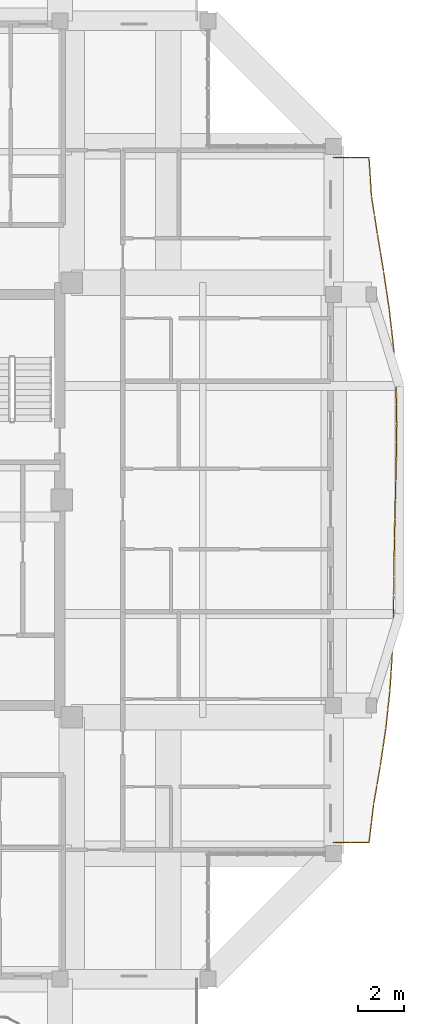
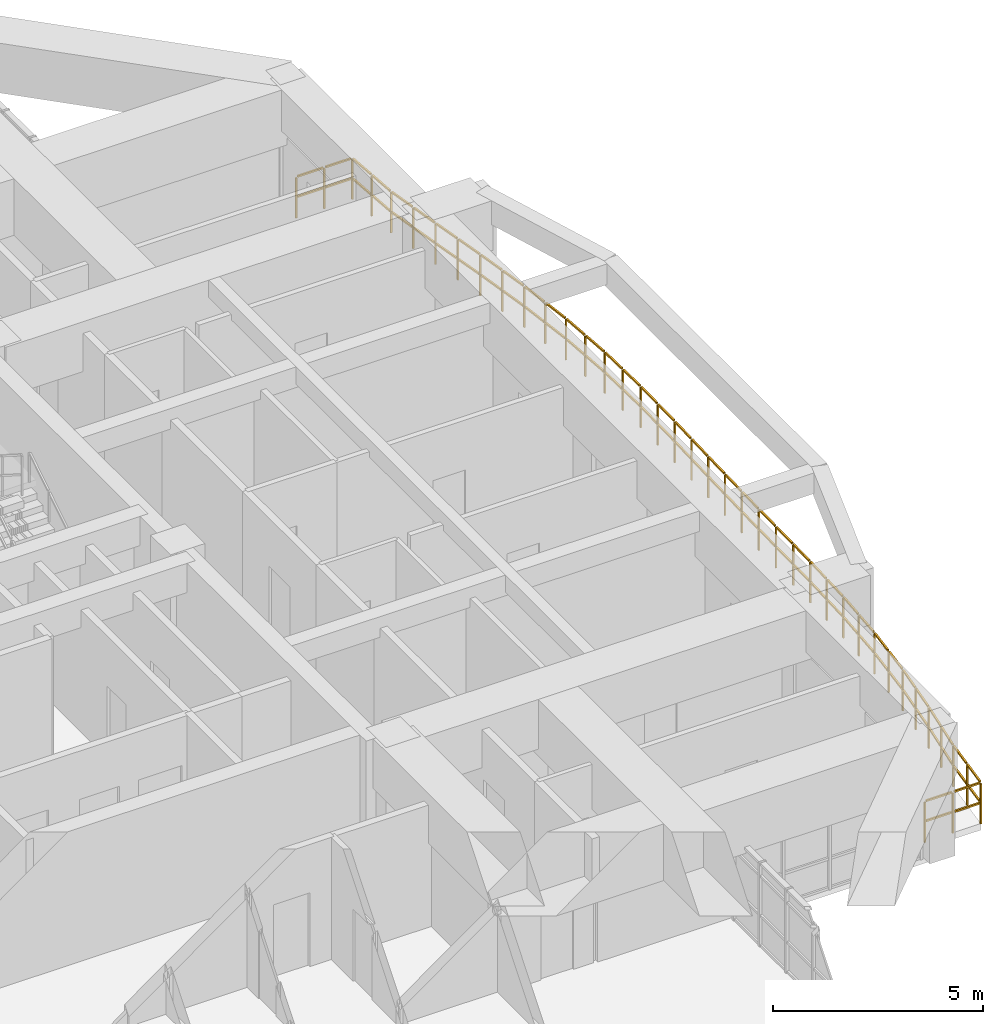
# One storey, part 21 of 22: 1 railing.
"""IFC4 building model written with IfcOpenShell, lengths in metres."""

from ifc_helpers import new_model, si_unit, direction, frame, origin, origin_2d, place, context, subcontext, project, spatial, rectangle, extrude, material, type_object, element, save


model = new_model("IFC4")

# Units and contexts
model_context = context("Model", 3, precision=1e-05, world=origin(), true_north=direction((0.0, 1.0)))
body_context = subcontext(model_context, "Body", "Model", "MODEL_VIEW")
ifc_project = project(units=[si_unit("LENGTHUNIT", "METRE"), si_unit("AREAUNIT", "SQUARE_METRE"), si_unit("VOLUMEUNIT", "CUBIC_METRE"), si_unit("PLANEANGLEUNIT", "RADIAN"), si_unit("MASSUNIT", "GRAM", prefix="KILO")], contexts=[model_context])

# Site, building, storey
site_placement = place(None, origin())
site = spatial("IfcSite", under=ifc_project, at=site_placement, CompositionType="ELEMENT")
building_placement = place(site_placement, origin())
building = spatial("IfcBuilding", under=site, at=building_placement, Name="Saelheon Loggia Tower", CompositionType="ELEMENT")
storey_placement = place(building_placement, frame((0.0, 0.0, 216.300048828125)))
storey = spatial("IfcBuildingStorey", under=building, at=storey_placement, Name="L67", CompositionType="ELEMENT", Elevation=216.300048828125)

# Railing
ifc_material = material(Name="Architectural Precast Concrete and Laminated Glass Guard", Category="concrete")
railing_type = type_object("IfcRailingType", Name="Guard_Loggia_RL_LOG", PredefinedType="BALUSTRADE", material=ifc_material)
railing_placement = place(storey_placement, frame((56.5, 12.0, 0.0)))
element("IfcRailing", 1, at=railing_placement, inside=storey, type_object=railing_type, Name="L67 East Loggia Balustrade", PredefinedType="BALUSTRADE", context=body_context, shape_type="SweptSolid", body=[
    extrude(rectangle(XDim=0.048095703125, YDim=0.048095703125, at=origin_2d()), frame((0.033203125, 0.0, 1.19580078125), z_axis=(1.0, 0.0, 0.0), x_axis=(0.0, 1.0, 0.0)), (0.0, 0.0, 1.0), 0.70849609375),
    extrude(rectangle(XDim=0.048095703125, YDim=0.048095703125, at=origin_2d()), frame((0.033203125, 0.0, 0.60986328125), z_axis=(1.0, 0.0, 0.0), x_axis=(0.0, 1.0, 0.0)), (0.0, 0.0, 1.0), 0.70849609375),
    extrude(rectangle(XDim=0.048095703125, YDim=0.048095703125, at=origin_2d()), frame((0.808349609375, 0.0, 1.19580078125), z_axis=(1.0, 0.0, 0.0), x_axis=(0.0, 1.0, 0.0)), (0.0, 0.0, 1.0), 0.70849609375),
    extrude(rectangle(XDim=0.048095703125, YDim=0.048095703125, at=origin_2d()), frame((0.808349609375, 0.0, 0.60986328125), z_axis=(1.0, 0.0, 0.0), x_axis=(0.0, 1.0, 0.0)), (0.0, 0.0, 1.0), 0.70849609375),
    extrude(rectangle(XDim=0.048095703125, YDim=0.048095703125, at=origin_2d()), frame((1.553955078125, 0.032958984375, 1.19580078125), z_axis=(0.121117273297, 0.992638205042, 0.0), x_axis=(-0.992638205042, 0.121117273297, 0.0)), (0.0, 0.0, 1.0), 0.773193359375),
    extrude(rectangle(XDim=0.048095703125, YDim=0.048095703125, at=origin_2d()), frame((1.553955078125, 0.032958984375, 0.60986328125), z_axis=(0.121117273297, 0.992638205042, 0.0), x_axis=(-0.992638205042, 0.121117273297, 0.0)), (0.0, 0.0, 1.0), 0.773193359375),
    extrude(rectangle(XDim=0.048095703125, YDim=0.048095703125, at=origin_2d()), frame((1.65576171875, 0.866455078125, 1.19580078125), z_axis=(0.121117273297, 0.992638205042, 0.0), x_axis=(-0.992638205042, 0.121117273297, 0.0)), (0.0, 0.0, 1.0), 0.773193359375),
    extrude(rectangle(XDim=0.048095703125, YDim=0.048095703125, at=origin_2d()), frame((1.65576171875, 0.866455078125, 0.60986328125), z_axis=(0.121117273297, 0.992638205042, 0.0), x_axis=(-0.992638205042, 0.121117273297, 0.0)), (0.0, 0.0, 1.0), 0.773193359375),
    extrude(rectangle(XDim=0.048095703125, YDim=0.048095703125, at=origin_2d()), frame((1.759033203125, 1.699462890625, 1.19580078125), z_axis=(0.170061614691, 0.98543343114, 0.0), x_axis=(-0.98543343114, 0.170061614691, 0.0)), (0.0, 0.0, 1.0), 0.779052734375),
    extrude(rectangle(XDim=0.048095703125, YDim=0.048095703125, at=origin_2d()), frame((1.759033203125, 1.699462890625, 0.60986328125), z_axis=(0.170061614691, 0.98543343114, 0.0), x_axis=(-0.98543343114, 0.170061614691, 0.0)), (0.0, 0.0, 1.0), 0.779052734375),
    extrude(rectangle(XDim=0.048095703125, YDim=0.048095703125, at=origin_2d()), frame((1.90283203125, 2.53271484375, 1.19580078125), z_axis=(0.170061614691, 0.98543343114, 0.0), x_axis=(-0.98543343114, 0.170061614691, 0.0)), (0.0, 0.0, 1.0), 0.779052734375),
    extrude(rectangle(XDim=0.048095703125, YDim=0.048095703125, at=origin_2d()), frame((1.90283203125, 2.53271484375, 0.60986328125), z_axis=(0.170061614691, 0.98543343114, 0.0), x_axis=(-0.98543343114, 0.170061614691, 0.0)), (0.0, 0.0, 1.0), 0.779052734375),
    extrude(rectangle(XDim=0.048095703125, YDim=0.048095703125, at=origin_2d()), frame((2.0458984375, 3.3662109375, 1.19580078125), z_axis=(0.146632679604, 0.98919101152, 0.0), x_axis=(-0.98919101152, 0.146632679604, 0.0)), (0.0, 0.0, 1.0), 0.776123046875),
    extrude(rectangle(XDim=0.048095703125, YDim=0.048095703125, at=origin_2d()), frame((2.0458984375, 3.3662109375, 0.60986328125), z_axis=(0.146632679604, 0.98919101152, 0.0), x_axis=(-0.98919101152, 0.146632679604, 0.0)), (0.0, 0.0, 1.0), 0.776123046875),
    extrude(rectangle(XDim=0.048095703125, YDim=0.048095703125, at=origin_2d()), frame((2.16943359375, 4.199462890625, 1.19580078125), z_axis=(0.146632679604, 0.98919101152, 0.0), x_axis=(-0.98919101152, 0.146632679604, 0.0)), (0.0, 0.0, 1.0), 0.776123046875),
    extrude(rectangle(XDim=0.048095703125, YDim=0.048095703125, at=origin_2d()), frame((2.16943359375, 4.199462890625, 0.60986328125), z_axis=(0.146632679604, 0.98919101152, 0.0), x_axis=(-0.98919101152, 0.146632679604, 0.0)), (0.0, 0.0, 1.0), 0.776123046875),
    extrude(rectangle(XDim=0.048095703125, YDim=0.048095703125, at=origin_2d()), frame((2.291748046875, 5.032958984375, 1.19580078125), z_axis=(0.106754244284, 0.994285437552, 0.0), x_axis=(-0.994285437552, 0.106754244284, 0.0)), (0.0, 0.0, 1.0), 0.771728515625),
    extrude(rectangle(XDim=0.048095703125, YDim=0.048095703125, at=origin_2d()), frame((2.291748046875, 5.032958984375, 0.60986328125), z_axis=(0.106754244284, 0.994285437552, 0.0), x_axis=(-0.994285437552, 0.106754244284, 0.0)), (0.0, 0.0, 1.0), 0.771728515625),
    extrude(rectangle(XDim=0.048095703125, YDim=0.048095703125, at=origin_2d()), frame((2.381103515625, 5.866455078125, 1.19580078125), z_axis=(0.106754244284, 0.994285437552, 0.0), x_axis=(-0.994285437552, 0.106754244284, 0.0)), (0.0, 0.0, 1.0), 0.771728515625),
    extrude(rectangle(XDim=0.048095703125, YDim=0.048095703125, at=origin_2d()), frame((2.381103515625, 5.866455078125, 0.60986328125), z_axis=(0.106754244284, 0.994285437552, 0.0), x_axis=(-0.994285437552, 0.106754244284, 0.0)), (0.0, 0.0, 1.0), 0.771728515625),
    extrude(rectangle(XDim=0.048095703125, YDim=0.048095703125, at=origin_2d()), frame((2.46923828125, 6.699951171875, 1.19580078125), z_axis=(0.063161067342, 0.998003346473, 0.0), x_axis=(-0.998003346473, 0.063161067342, 0.0)), (0.0, 0.0, 1.0), 0.7685546875),
    extrude(rectangle(XDim=0.048095703125, YDim=0.048095703125, at=origin_2d()), frame((2.46923828125, 6.699951171875, 0.60986328125), z_axis=(0.063161067342, 0.998003346473, 0.0), x_axis=(-0.998003346473, 0.063161067342, 0.0)), (0.0, 0.0, 1.0), 0.7685546875),
    extrude(rectangle(XDim=0.048095703125, YDim=0.048095703125, at=origin_2d()), frame((2.52197265625, 7.533203125, 1.19580078125), z_axis=(0.063161067342, 0.998003346473, 0.0), x_axis=(-0.998003346473, 0.063161067342, 0.0)), (0.0, 0.0, 1.0), 0.7685546875),
    extrude(rectangle(XDim=0.048095703125, YDim=0.048095703125, at=origin_2d()), frame((2.52197265625, 7.533203125, 0.60986328125), z_axis=(0.063161067342, 0.998003346473, 0.0), x_axis=(-0.998003346473, 0.063161067342, 0.0)), (0.0, 0.0, 1.0), 0.7685546875),
    extrude(rectangle(XDim=0.048095703125, YDim=0.048095703125, at=origin_2d()), frame((2.573486328125, 8.366455078125, 1.19580078125), z_axis=(0.028844006627, 0.999583925082, 0.0), x_axis=(-0.999583925082, 0.028844006627, 0.0)), (0.0, 0.0, 1.0), 0.767333984375),
    extrude(rectangle(XDim=0.048095703125, YDim=0.048095703125, at=origin_2d()), frame((2.573486328125, 8.366455078125, 0.60986328125), z_axis=(0.028844006627, 0.999583925082, 0.0), x_axis=(-0.999583925082, 0.028844006627, 0.0)), (0.0, 0.0, 1.0), 0.767333984375),
    extrude(rectangle(XDim=0.048095703125, YDim=0.048095703125, at=origin_2d()), frame((2.597412109375, 9.199951171875, 1.19580078125), z_axis=(0.028844006627, 0.999583925082, 0.0), x_axis=(-0.999583925082, 0.028844006627, 0.0)), (0.0, 0.0, 1.0), 0.767333984375),
    extrude(rectangle(XDim=0.048095703125, YDim=0.048095703125, at=origin_2d()), frame((2.597412109375, 9.199951171875, 0.60986328125), z_axis=(0.028844006627, 0.999583925082, 0.0), x_axis=(-0.999583925082, 0.028844006627, 0.0)), (0.0, 0.0, 1.0), 0.767333984375),
    extrude(rectangle(XDim=0.048095703125, YDim=0.048095703125, at=origin_2d()), frame((2.62109375, 10.033203125, 1.19580078125), z_axis=(0.012156711099, 0.999926104457, 0.0), x_axis=(-0.999926104457, 0.012156711099, 0.0)), (0.0, 0.0, 1.0), 0.766845703125),
    extrude(rectangle(XDim=0.048095703125, YDim=0.048095703125, at=origin_2d()), frame((2.62109375, 10.033203125, 0.60986328125), z_axis=(0.012156711099, 0.999926104457, 0.0), x_axis=(-0.999926104457, 0.012156711099, 0.0)), (0.0, 0.0, 1.0), 0.766845703125),
    extrude(rectangle(XDim=0.048095703125, YDim=0.048095703125, at=origin_2d()), frame((2.631103515625, 10.86669921875, 1.19580078125), z_axis=(0.012156711099, 0.999926104457, 0.0), x_axis=(-0.999926104457, 0.012156711099, 0.0)), (0.0, 0.0, 1.0), 0.766845703125),
    extrude(rectangle(XDim=0.048095703125, YDim=0.048095703125, at=origin_2d()), frame((2.631103515625, 10.86669921875, 0.60986328125), z_axis=(0.012156711099, 0.999926104457, 0.0), x_axis=(-0.999926104457, 0.012156711099, 0.0)), (0.0, 0.0, 1.0), 0.766845703125),
    extrude(rectangle(XDim=0.048095703125, YDim=0.048095703125, at=origin_2d()), frame((2.641357421875, 11.699951171875, 1.19580078125), z_axis=(0.012744350207, 0.999918787471, 0.0), x_axis=(-0.999918787471, 0.012744350207, 0.0)), (0.0, 0.0, 1.0), 0.766845703125),
    extrude(rectangle(XDim=0.048095703125, YDim=0.048095703125, at=origin_2d()), frame((2.641357421875, 11.699951171875, 0.60986328125), z_axis=(0.012744350207, 0.999918787471, 0.0), x_axis=(-0.999918787471, 0.012744350207, 0.0)), (0.0, 0.0, 1.0), 0.766845703125),
    extrude(rectangle(XDim=0.048095703125, YDim=0.048095703125, at=origin_2d()), frame((2.65185546875, 12.533203125, 1.19580078125), z_axis=(0.012744350207, 0.999918787471, 0.0), x_axis=(-0.999918787471, 0.012744350207, 0.0)), (0.0, 0.0, 1.0), 0.766845703125),
    extrude(rectangle(XDim=0.048095703125, YDim=0.048095703125, at=origin_2d()), frame((2.65185546875, 12.533203125, 0.60986328125), z_axis=(0.012744350207, 0.999918787471, 0.0), x_axis=(-0.999918787471, 0.012744350207, 0.0)), (0.0, 0.0, 1.0), 0.766845703125),
    extrude(rectangle(XDim=0.048095703125, YDim=0.048095703125, at=origin_2d()), frame((2.662841796875, 13.366455078125, 1.19580078125), z_axis=(0.021088029542, 0.999777622779, 0.0), x_axis=(-0.999777622779, 0.021088029542, 0.0)), (0.0, 0.0, 1.0), 0.76708984375),
    extrude(rectangle(XDim=0.048095703125, YDim=0.048095703125, at=origin_2d()), frame((2.662841796875, 13.366455078125, 0.60986328125), z_axis=(0.021088029542, 0.999777622779, 0.0), x_axis=(-0.999777622779, 0.021088029542, 0.0)), (0.0, 0.0, 1.0), 0.76708984375),
    extrude(rectangle(XDim=0.048095703125, YDim=0.048095703125, at=origin_2d()), frame((2.680419921875, 14.199951171875, 1.19580078125), z_axis=(0.021088029542, 0.999777622779, 0.0), x_axis=(-0.999777622779, 0.021088029542, 0.0)), (0.0, 0.0, 1.0), 0.76708984375),
    extrude(rectangle(XDim=0.048095703125, YDim=0.048095703125, at=origin_2d()), frame((2.680419921875, 14.199951171875, 0.60986328125), z_axis=(0.021088029542, 0.999777622779, 0.0), x_axis=(-0.999777622779, 0.021088029542, 0.0)), (0.0, 0.0, 1.0), 0.76708984375),
    extrude(rectangle(XDim=0.048095703125, YDim=0.048095703125, at=origin_2d()), frame((2.697998046875, 15.033203125, 1.19580078125), z_axis=(0.025186090256, 0.999682780115, 0.0), x_axis=(-0.999682780115, 0.025186090256, 0.0)), (0.0, 0.0, 1.0), 0.76708984375),
    extrude(rectangle(XDim=0.048095703125, YDim=0.048095703125, at=origin_2d()), frame((2.697998046875, 15.033203125, 0.60986328125), z_axis=(0.025186090256, 0.999682780115, 0.0), x_axis=(-0.999682780115, 0.025186090256, 0.0)), (0.0, 0.0, 1.0), 0.76708984375),
    extrude(rectangle(XDim=0.048095703125, YDim=0.048095703125, at=origin_2d()), frame((2.718994140625, 15.86669921875, 1.19580078125), z_axis=(0.025186090256, 0.999682780115, 0.0), x_axis=(-0.999682780115, 0.025186090256, 0.0)), (0.0, 0.0, 1.0), 0.76708984375),
    extrude(rectangle(XDim=0.048095703125, YDim=0.048095703125, at=origin_2d()), frame((2.718994140625, 15.86669921875, 0.60986328125), z_axis=(0.025186090256, 0.999682780115, 0.0), x_axis=(-0.999682780115, 0.025186090256, 0.0)), (0.0, 0.0, 1.0), 0.76708984375),
    extrude(rectangle(XDim=0.048095703125, YDim=0.048095703125, at=origin_2d()), frame((2.73974609375, 16.699951171875, 1.19580078125), z_axis=(0.013623113053, 0.99990720109, 0.0), x_axis=(-0.99990720109, 0.013623113053, 0.0)), (0.0, 0.0, 1.0), 0.766845703125),
    extrude(rectangle(XDim=0.048095703125, YDim=0.048095703125, at=origin_2d()), frame((2.73974609375, 16.699951171875, 0.60986328125), z_axis=(0.013623113053, 0.99990720109, 0.0), x_axis=(-0.99990720109, 0.013623113053, 0.0)), (0.0, 0.0, 1.0), 0.766845703125),
    extrude(rectangle(XDim=0.048095703125, YDim=0.048095703125, at=origin_2d()), frame((2.7509765625, 17.533203125, 1.19580078125), z_axis=(0.013623113053, 0.99990720109, 0.0), x_axis=(-0.99990720109, 0.013623113053, 0.0)), (0.0, 0.0, 1.0), 0.766845703125),
    extrude(rectangle(XDim=0.048095703125, YDim=0.048095703125, at=origin_2d()), frame((2.7509765625, 17.533203125, 0.60986328125), z_axis=(0.013623113053, 0.99990720109, 0.0), x_axis=(-0.99990720109, 0.013623113053, 0.0)), (0.0, 0.0, 1.0), 0.766845703125),
    extrude(rectangle(XDim=0.048095703125, YDim=0.048095703125, at=origin_2d()), frame((2.761474609375, 18.366455078125, 1.19580078125), z_axis=(-0.017574552025, 0.999845555634, 0.0), x_axis=(-0.999845555634, -0.017574552025, 0.0)), (0.0, 0.0, 1.0), 0.76708984375),
    extrude(rectangle(XDim=0.048095703125, YDim=0.048095703125, at=origin_2d()), frame((2.761474609375, 18.366455078125, 0.60986328125), z_axis=(-0.017574552025, 0.999845555634, 0.0), x_axis=(-0.999845555634, -0.017574552025, 0.0)), (0.0, 0.0, 1.0), 0.76708984375),
    extrude(rectangle(XDim=0.048095703125, YDim=0.048095703125, at=origin_2d()), frame((2.746826171875, 19.199951171875, 1.19580078125), z_axis=(-0.017574552025, 0.999845555634, 0.0), x_axis=(-0.999845555634, -0.017574552025, 0.0)), (0.0, 0.0, 1.0), 0.76708984375),
    extrude(rectangle(XDim=0.048095703125, YDim=0.048095703125, at=origin_2d()), frame((2.746826171875, 19.199951171875, 0.60986328125), z_axis=(-0.017574552025, 0.999845555634, 0.0), x_axis=(-0.999845555634, -0.017574552025, 0.0)), (0.0, 0.0, 1.0), 0.76708984375),
    extrude(rectangle(XDim=0.048095703125, YDim=0.048095703125, at=origin_2d()), frame((2.73046875, 20.033203125, 1.19580078125), z_axis=(-0.063151852584, 0.998003929609, 0.0), x_axis=(-0.998003929609, -0.063151852584, 0.0)), (0.0, 0.0, 1.0), 0.7685546875),
    extrude(rectangle(XDim=0.048095703125, YDim=0.048095703125, at=origin_2d()), frame((2.73046875, 20.033203125, 0.60986328125), z_axis=(-0.063151852584, 0.998003929609, 0.0), x_axis=(-0.998003929609, -0.063151852584, 0.0)), (0.0, 0.0, 1.0), 0.7685546875),
    extrude(rectangle(XDim=0.048095703125, YDim=0.048095703125, at=origin_2d()), frame((2.677734375, 20.866455078125, 1.19580078125), z_axis=(-0.063151852584, 0.998003929609, 0.0), x_axis=(-0.998003929609, -0.063151852584, 0.0)), (0.0, 0.0, 1.0), 0.7685546875),
    extrude(rectangle(XDim=0.048095703125, YDim=0.048095703125, at=origin_2d()), frame((2.677734375, 20.866455078125, 0.60986328125), z_axis=(-0.063151852584, 0.998003929609, 0.0), x_axis=(-0.998003929609, -0.063151852584, 0.0)), (0.0, 0.0, 1.0), 0.7685546875),
    extrude(rectangle(XDim=0.048095703125, YDim=0.048095703125, at=origin_2d()), frame((2.62353515625, 21.69970703125, 1.19580078125), z_axis=(-0.111230457734, 0.993794639386, 0.0), x_axis=(-0.993794639386, -0.111230457734, 0.0)), (0.0, 0.0, 1.0), 0.77197265625),
    extrude(rectangle(XDim=0.048095703125, YDim=0.048095703125, at=origin_2d()), frame((2.62353515625, 21.69970703125, 0.60986328125), z_axis=(-0.111230457734, 0.993794639386, 0.0), x_axis=(-0.993794639386, -0.111230457734, 0.0)), (0.0, 0.0, 1.0), 0.77197265625),
    extrude(rectangle(XDim=0.048095703125, YDim=0.048095703125, at=origin_2d()), frame((2.5302734375, 22.532958984375, 1.19580078125), z_axis=(-0.111230457734, 0.993794639386, 0.0), x_axis=(-0.993794639386, -0.111230457734, 0.0)), (0.0, 0.0, 1.0), 0.77197265625),
    extrude(rectangle(XDim=0.048095703125, YDim=0.048095703125, at=origin_2d()), frame((2.5302734375, 22.532958984375, 0.60986328125), z_axis=(-0.111230457734, 0.993794639386, 0.0), x_axis=(-0.993794639386, -0.111230457734, 0.0)), (0.0, 0.0, 1.0), 0.77197265625),
    extrude(rectangle(XDim=0.048095703125, YDim=0.048095703125, at=origin_2d()), frame((2.435791015625, 23.3662109375, 1.19580078125), z_axis=(-0.147624907715, 0.989043419988, 0.0), x_axis=(-0.989043419988, -0.147624907715, 0.0)), (0.0, 0.0, 1.0), 0.776123046875),
    extrude(rectangle(XDim=0.048095703125, YDim=0.048095703125, at=origin_2d()), frame((2.435791015625, 23.3662109375, 0.60986328125), z_axis=(-0.147624907715, 0.989043419988, 0.0), x_axis=(-0.989043419988, -0.147624907715, 0.0)), (0.0, 0.0, 1.0), 0.776123046875),
    extrude(rectangle(XDim=0.048095703125, YDim=0.048095703125, at=origin_2d()), frame((2.311279296875, 24.199462890625, 1.19580078125), z_axis=(-0.147624907715, 0.989043419988, 0.0), x_axis=(-0.989043419988, -0.147624907715, 0.0)), (0.0, 0.0, 1.0), 0.776123046875),
    extrude(rectangle(XDim=0.048095703125, YDim=0.048095703125, at=origin_2d()), frame((2.311279296875, 24.199462890625, 0.60986328125), z_axis=(-0.147624907715, 0.989043419988, 0.0), x_axis=(-0.989043419988, -0.147624907715, 0.0)), (0.0, 0.0, 1.0), 0.776123046875),
    extrude(rectangle(XDim=0.048095703125, YDim=0.048095703125, at=origin_2d()), frame((2.1865234375, 25.03271484375, 1.19580078125), z_axis=(-0.162875459068, 0.986646636255, 0.0), x_axis=(-0.986646636255, -0.162875459068, 0.0)), (0.0, 0.0, 1.0), 0.778076171875),
    extrude(rectangle(XDim=0.048095703125, YDim=0.048095703125, at=origin_2d()), frame((2.1865234375, 25.03271484375, 0.60986328125), z_axis=(-0.162875459068, 0.986646636255, 0.0), x_axis=(-0.986646636255, -0.162875459068, 0.0)), (0.0, 0.0, 1.0), 0.778076171875),
    extrude(rectangle(XDim=0.048095703125, YDim=0.048095703125, at=origin_2d()), frame((2.048828125, 25.8662109375, 1.19580078125), z_axis=(-0.162875459068, 0.986646636255, 0.0), x_axis=(-0.986646636255, -0.162875459068, 0.0)), (0.0, 0.0, 1.0), 0.778076171875),
    extrude(rectangle(XDim=0.048095703125, YDim=0.048095703125, at=origin_2d()), frame((2.048828125, 25.8662109375, 0.60986328125), z_axis=(-0.162875459068, 0.986646636255, 0.0), x_axis=(-0.986646636255, -0.162875459068, 0.0)), (0.0, 0.0, 1.0), 0.778076171875),
    extrude(rectangle(XDim=0.048095703125, YDim=0.048095703125, at=origin_2d()), frame((1.91162109375, 26.699462890625, 1.19580078125), z_axis=(-0.155145020329, 0.987891705941, 0.0), x_axis=(-0.987891705941, -0.155145020329, 0.0)), (0.0, 0.0, 1.0), 0.777099609375),
    extrude(rectangle(XDim=0.048095703125, YDim=0.048095703125, at=origin_2d()), frame((1.91162109375, 26.699462890625, 0.60986328125), z_axis=(-0.155145020329, 0.987891705941, 0.0), x_axis=(-0.987891705941, -0.155145020329, 0.0)), (0.0, 0.0, 1.0), 0.777099609375),
    extrude(rectangle(XDim=0.048095703125, YDim=0.048095703125, at=origin_2d()), frame((1.78076171875, 27.53271484375, 1.19580078125), z_axis=(-0.155145020329, 0.987891705941, 0.0), x_axis=(-0.987891705941, -0.155145020329, 0.0)), (0.0, 0.0, 1.0), 0.777099609375),
    extrude(rectangle(XDim=0.048095703125, YDim=0.048095703125, at=origin_2d()), frame((1.78076171875, 27.53271484375, 0.60986328125), z_axis=(-0.155145020329, 0.987891705941, 0.0), x_axis=(-0.987891705941, -0.155145020329, 0.0)), (0.0, 0.0, 1.0), 0.777099609375),
    extrude(rectangle(XDim=0.048095703125, YDim=0.048095703125, at=origin_2d()), frame((1.65283203125, 28.366455078125, 1.19580078125), z_axis=(-0.062860640859, 0.998022314295, 0.0), x_axis=(-0.998022314295, -0.062860640859, 0.0)), (0.0, 0.0, 1.0), 0.7685546875),
    extrude(rectangle(XDim=0.048095703125, YDim=0.048095703125, at=origin_2d()), frame((1.65283203125, 28.366455078125, 0.60986328125), z_axis=(-0.062860640859, 0.998022314295, 0.0), x_axis=(-0.998022314295, -0.062860640859, 0.0)), (0.0, 0.0, 1.0), 0.7685546875),
    extrude(rectangle(XDim=0.048095703125, YDim=0.048095703125, at=origin_2d()), frame((1.600341796875, 29.19970703125, 1.19580078125), z_axis=(-0.062860640859, 0.998022314295, 0.0), x_axis=(-0.998022314295, -0.062860640859, 0.0)), (0.0, 0.0, 1.0), 0.7685546875),
    extrude(rectangle(XDim=0.048095703125, YDim=0.048095703125, at=origin_2d()), frame((1.600341796875, 29.19970703125, 0.60986328125), z_axis=(-0.062860640859, 0.998022314295, 0.0), x_axis=(-0.998022314295, -0.062860640859, 0.0)), (0.0, 0.0, 1.0), 0.7685546875),
    extrude(rectangle(XDim=0.048095703125, YDim=0.048095703125, at=origin_2d()), frame((1.516845703125, 30.0, 1.19580078125), z_axis=(-1.0, 0.0, 0.0), x_axis=(0.0, -1.0, 0.0)), (0.0, 0.0, 1.0), 0.70849609375),
    extrude(rectangle(XDim=0.048095703125, YDim=0.048095703125, at=origin_2d()), frame((1.516845703125, 30.0, 0.60986328125), z_axis=(-1.0, 0.0, 0.0), x_axis=(0.0, -1.0, 0.0)), (0.0, 0.0, 1.0), 0.70849609375),
    extrude(rectangle(XDim=0.048095703125, YDim=0.048095703125, at=origin_2d()), frame((0.74169921875, 30.0, 1.19580078125), z_axis=(-1.0, 0.0, 0.0), x_axis=(0.0, -1.0, 0.0)), (0.0, 0.0, 1.0), 0.70849609375),
    extrude(rectangle(XDim=0.048095703125, YDim=0.048095703125, at=origin_2d()), frame((0.74169921875, 30.0, 0.60986328125), z_axis=(-1.0, 0.0, 0.0), x_axis=(0.0, -1.0, 0.0)), (0.0, 0.0, 1.0), 0.70849609375),
    extrude(rectangle(XDim=0.0419921875, YDim=0.0419921875, at=origin_2d()), origin(), (0.0, 0.0, 1.0), 1.16796875),
    extrude(rectangle(XDim=0.0419921875, YDim=0.0419921875, at=origin_2d()), frame((0.77490234375, 0.0, 0.0)), (0.0, 0.0, 1.0), 1.16796875),
    extrude(rectangle(XDim=0.0419921875, YDim=0.0419921875, at=origin_2d()), frame((1.550048828125, 0.0, 0.0)), (0.0, 0.0, 1.0), 1.16796875),
    extrude(rectangle(XDim=0.0419921875, YDim=0.0419921875, at=origin_2d()), frame((1.65185546875, 0.83349609375, 0.0)), (0.0, 0.0, 1.0), 1.16796875),
    extrude(rectangle(XDim=0.0419921875, YDim=0.0419921875, at=origin_2d()), frame((1.75341796875, 1.666748046875, 0.0)), (0.0, 0.0, 1.0), 1.16796875),
    extrude(rectangle(XDim=0.0419921875, YDim=0.0419921875, at=origin_2d()), frame((1.897216796875, 2.5, 0.0)), (0.0, 0.0, 1.0), 1.16796875),
    extrude(rectangle(XDim=0.0419921875, YDim=0.0419921875, at=origin_2d()), frame((2.041015625, 3.333251953125, 0.0)), (0.0, 0.0, 1.0), 1.16796875),
    extrude(rectangle(XDim=0.0419921875, YDim=0.0419921875, at=origin_2d()), frame((2.16455078125, 4.16650390625, 0.0)), (0.0, 0.0, 1.0), 1.16796875),
    extrude(rectangle(XDim=0.0419921875, YDim=0.0419921875, at=origin_2d()), frame((2.2880859375, 5.0, 0.0)), (0.0, 0.0, 1.0), 1.16796875),
    extrude(rectangle(XDim=0.0419921875, YDim=0.0419921875, at=origin_2d()), frame((2.37744140625, 5.83349609375, 0.0)), (0.0, 0.0, 1.0), 1.16796875),
    extrude(rectangle(XDim=0.0419921875, YDim=0.0419921875, at=origin_2d()), frame((2.467041015625, 6.666748046875, 0.0)), (0.0, 0.0, 1.0), 1.16796875),
    extrude(rectangle(XDim=0.0419921875, YDim=0.0419921875, at=origin_2d()), frame((2.519775390625, 7.5, 0.0)), (0.0, 0.0, 1.0), 1.16796875),
    extrude(rectangle(XDim=0.0419921875, YDim=0.0419921875, at=origin_2d()), frame((2.572509765625, 8.333251953125, 0.0)), (0.0, 0.0, 1.0), 1.16796875),
    extrude(rectangle(XDim=0.0419921875, YDim=0.0419921875, at=origin_2d()), frame((2.5966796875, 9.16650390625, 0.0)), (0.0, 0.0, 1.0), 1.16796875),
    extrude(rectangle(XDim=0.0419921875, YDim=0.0419921875, at=origin_2d()), frame((2.62060546875, 10.0, 0.0)), (0.0, 0.0, 1.0), 1.16796875),
    extrude(rectangle(XDim=0.0419921875, YDim=0.0419921875, at=origin_2d()), frame((2.630859375, 10.83349609375, 0.0)), (0.0, 0.0, 1.0), 1.16796875),
    extrude(rectangle(XDim=0.0419921875, YDim=0.0419921875, at=origin_2d()), frame((2.640869140625, 11.666748046875, 0.0)), (0.0, 0.0, 1.0), 1.16796875),
    extrude(rectangle(XDim=0.0419921875, YDim=0.0419921875, at=origin_2d()), frame((2.6513671875, 12.5, 0.0)), (0.0, 0.0, 1.0), 1.16796875),
    extrude(rectangle(XDim=0.0419921875, YDim=0.0419921875, at=origin_2d()), frame((2.662109375, 13.333251953125, 0.0)), (0.0, 0.0, 1.0), 1.16796875),
    extrude(rectangle(XDim=0.0419921875, YDim=0.0419921875, at=origin_2d()), frame((2.6796875, 14.16650390625, 0.0)), (0.0, 0.0, 1.0), 1.16796875),
    extrude(rectangle(XDim=0.0419921875, YDim=0.0419921875, at=origin_2d()), frame((2.697265625, 15.0, 0.0)), (0.0, 0.0, 1.0), 1.16796875),
    extrude(rectangle(XDim=0.0419921875, YDim=0.0419921875, at=origin_2d()), frame((2.71826171875, 15.83349609375, 0.0)), (0.0, 0.0, 1.0), 1.16796875),
    extrude(rectangle(XDim=0.0419921875, YDim=0.0419921875, at=origin_2d()), frame((2.7392578125, 16.666748046875, 0.0)), (0.0, 0.0, 1.0), 1.16796875),
    extrude(rectangle(XDim=0.0419921875, YDim=0.0419921875, at=origin_2d()), frame((2.75048828125, 17.5, 0.0)), (0.0, 0.0, 1.0), 1.16796875),
    extrude(rectangle(XDim=0.0419921875, YDim=0.0419921875, at=origin_2d()), frame((2.761962890625, 18.333251953125, 0.0)), (0.0, 0.0, 1.0), 1.16796875),
    extrude(rectangle(XDim=0.0419921875, YDim=0.0419921875, at=origin_2d()), frame((2.747314453125, 19.16650390625, 0.0)), (0.0, 0.0, 1.0), 1.16796875),
    extrude(rectangle(XDim=0.0419921875, YDim=0.0419921875, at=origin_2d()), frame((2.732666015625, 20.0, 0.0)), (0.0, 0.0, 1.0), 1.16796875),
    extrude(rectangle(XDim=0.0419921875, YDim=0.0419921875, at=origin_2d()), frame((2.679931640625, 20.83349609375, 0.0)), (0.0, 0.0, 1.0), 1.16796875),
    extrude(rectangle(XDim=0.0419921875, YDim=0.0419921875, at=origin_2d()), frame((2.627197265625, 21.666748046875, 0.0)), (0.0, 0.0, 1.0), 1.16796875),
    extrude(rectangle(XDim=0.0419921875, YDim=0.0419921875, at=origin_2d()), frame((2.533935546875, 22.5, 0.0)), (0.0, 0.0, 1.0), 1.16796875),
    extrude(rectangle(XDim=0.0419921875, YDim=0.0419921875, at=origin_2d()), frame((2.440673828125, 23.333251953125, 0.0)), (0.0, 0.0, 1.0), 1.16796875),
    extrude(rectangle(XDim=0.0419921875, YDim=0.0419921875, at=origin_2d()), frame((2.31640625, 24.16650390625, 0.0)), (0.0, 0.0, 1.0), 1.16796875),
    extrude(rectangle(XDim=0.0419921875, YDim=0.0419921875, at=origin_2d()), frame((2.19189453125, 25.0, 0.0)), (0.0, 0.0, 1.0), 1.16796875),
    extrude(rectangle(XDim=0.0419921875, YDim=0.0419921875, at=origin_2d()), frame((2.05419921875, 25.83349609375, 0.0)), (0.0, 0.0, 1.0), 1.16796875),
    extrude(rectangle(XDim=0.0419921875, YDim=0.0419921875, at=origin_2d()), frame((1.916748046875, 26.666748046875, 0.0)), (0.0, 0.0, 1.0), 1.16796875),
    extrude(rectangle(XDim=0.0419921875, YDim=0.0419921875, at=origin_2d()), frame((1.785888671875, 27.5, 0.0)), (0.0, 0.0, 1.0), 1.16796875),
    extrude(rectangle(XDim=0.0419921875, YDim=0.0419921875, at=origin_2d()), frame((1.655029296875, 28.333251953125, 0.0)), (0.0, 0.0, 1.0), 1.16796875),
    extrude(rectangle(XDim=0.0419921875, YDim=0.0419921875, at=origin_2d()), frame((1.6025390625, 29.16650390625, 0.0)), (0.0, 0.0, 1.0), 1.16796875),
    extrude(rectangle(XDim=0.0419921875, YDim=0.0419921875, at=origin_2d()), frame((1.550048828125, 30.0, 0.0)), (0.0, 0.0, 1.0), 1.16796875),
    extrude(rectangle(XDim=0.0419921875, YDim=0.0419921875, at=origin_2d()), frame((0.77490234375, 30.0, 0.0)), (0.0, 0.0, 1.0), 1.16796875),
    extrude(rectangle(XDim=0.0419921875, YDim=0.0419921875, at=origin_2d()), frame((0.0, 30.0, 0.0)), (0.0, 0.0, 1.0), 1.16796875),
])

save(model, "model.ifc")
